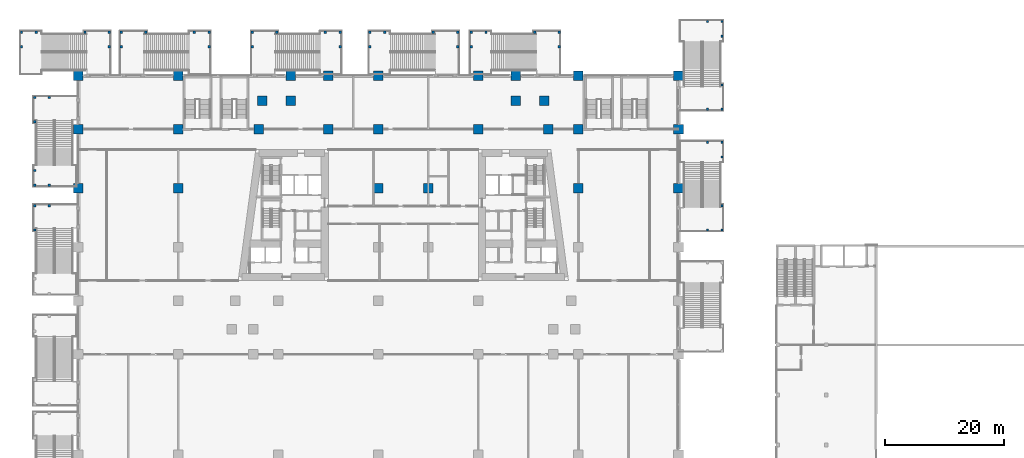
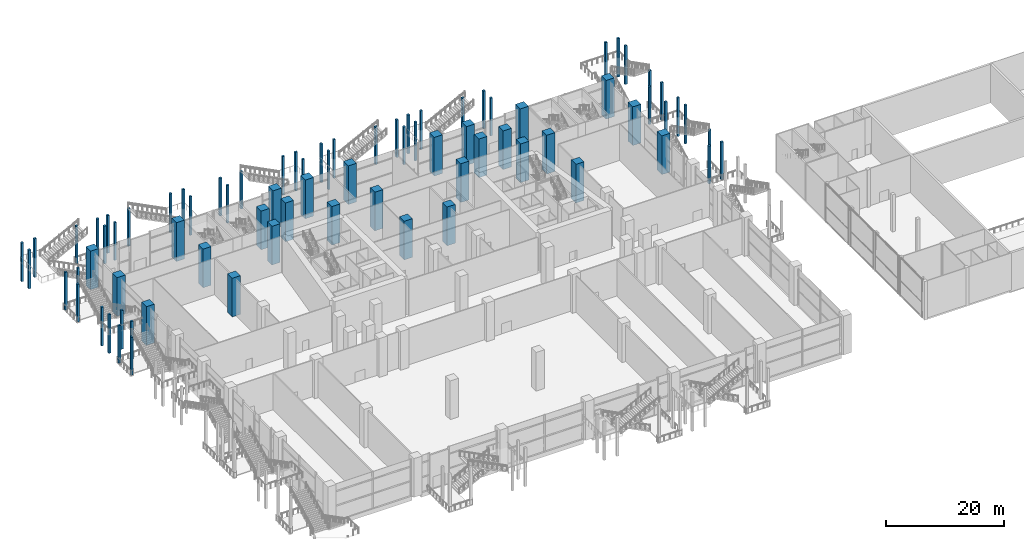
# One storey, part 2 of 52: 79 columns.
"""IFC4 building model written with IfcOpenShell, lengths in metres."""

from ifc_helpers import new_model, si_unit, direction, frame, origin, origin_2d, place, context, subcontext, project, spatial, rectangle, extrude, material, material_profile, profile_set, type_object, element, save


model = new_model("IFC4")

# Units and contexts
model_context = context("Model", 3, precision=1e-05, world=origin(), true_north=direction((0.0, 1.0)))
body_context = subcontext(model_context, "Body", "Model", "MODEL_VIEW")
ifc_project = project(units=[si_unit("LENGTHUNIT", "METRE"), si_unit("AREAUNIT", "SQUARE_METRE"), si_unit("VOLUMEUNIT", "CUBIC_METRE"), si_unit("PLANEANGLEUNIT", "RADIAN"), si_unit("MASSUNIT", "GRAM", prefix="KILO")], contexts=[model_context])

# Site, building, storey
site_placement = place(None, origin())
site = spatial("IfcSite", under=ifc_project, at=site_placement, CompositionType="ELEMENT")
building_placement = place(site_placement, origin())
building = spatial("IfcBuilding", under=site, at=building_placement, Name="Candeia Pilgrim Tower and Theatre", CompositionType="ELEMENT")
storey_placement = place(building_placement, frame((0.0, 0.0, 9.0)))
storey = spatial("IfcBuildingStorey", under=building, at=storey_placement, Name="L01", CompositionType="ELEMENT", Elevation=9.0)

# Columns
ifc_material_1 = material(Name="Concrete C40/50", Category="concrete")
ifc_material_profile_1 = material_profile(ifc_material_1, rectangle(XDim=0.39990234375, YDim=0.39990234375, at=origin_2d()))
ifc_profile_set_1 = profile_set([ifc_material_profile_1], Name="Concrete C40/50")
column_type_1 = type_object("IfcColumnType", Name="Escape stair column RC 400x400", PredefinedType="COLUMN", material=ifc_profile_set_1)
for number, where, z_axis, x_axis, name in (
    (1, (166.89990234375, 139.14990234375, 0.0), (0.0, 0.0, 1.0), (1.0, 0.0, 0.0), "External escape stair ES2 column N1.2"),
    (2, (166.89990234375, 143.25, 0.0), (0.0, 0.0, 1.0), (1.0, 0.0, 0.0), "External escape stair ES2 column N2.2"),
    (3, (164.47509765625, 139.14990234375, 0.0), (0.0, 0.0, 1.0), (1.0, 0.0, 0.0), "External escape stair ES2 column N3.2"),
):
    element("IfcColumn", number, at=place(storey_placement, frame(where, z_axis=z_axis, x_axis=x_axis)), inside=storey, type_object=column_type_1, Name=name, PredefinedType="COLUMN", context=body_context, shape_type="SweptSolid", body=[
        extrude(rectangle(XDim=0.39990234375, YDim=0.39990234375, at=origin_2d()), origin(), (0.0, 0.0, 1.0), 7.800048828125),
    ])
for number, where, z_axis, x_axis, name in (
    (4, (166.89990234375, 151.409912109375, 0.0), (0.0, 0.0, 1.0), (1.0, 0.0, 0.0), "External escape stair ES2 column F1.2"),
    (5, (166.89990234375, 153.909912109375, 0.0), (0.0, 0.0, 1.0), (1.0, 0.0, 0.0), "External escape stair ES2 column F2.2"),
    (6, (164.47509765625, 153.909912109375, 0.0), (0.0, 0.0, 1.0), (1.0, 0.0, 0.0), "External escape stair ES2 column F3.2"),
):
    element("IfcColumn", number, at=place(storey_placement, frame(where, z_axis=z_axis, x_axis=x_axis)), inside=storey, type_object=column_type_1, Name=name, PredefinedType="COLUMN", context=body_context, shape_type="SweptSolid", body=[
        extrude(rectangle(XDim=0.39990234375, YDim=0.39990234375, at=origin_2d()), origin(), (0.0, 0.0, 1.0), 8.0),
    ])
for number, where, z_axis, x_axis, name in (
    (7, (64.050048828125, 152.10009765625, 0.0), (0.0, 0.0, 1.0), (1.0, 0.0, 0.0), "External escape stair ES3 column N1.2"),
    (8, (59.949951171875, 152.10009765625, 0.0), (0.0, 0.0, 1.0), (1.0, 0.0, 0.0), "External escape stair ES3 column N2.2"),
    (9, (64.050048828125, 149.675048828125, 0.0), (0.0, 0.0, 1.0), (1.0, 0.0, 0.0), "External escape stair ES3 column N3.2"),
):
    element("IfcColumn", number, at=place(storey_placement, frame(where, z_axis=z_axis, x_axis=x_axis)), inside=storey, type_object=column_type_1, Name=name, PredefinedType="COLUMN", context=body_context, shape_type="SweptSolid", body=[
        extrude(rectangle(XDim=0.39990234375, YDim=0.39990234375, at=origin_2d()), origin(), (0.0, 0.0, 1.0), 7.800048828125),
    ])
for number, where, z_axis, x_axis, name in (
    (10, (51.7900390625, 152.10009765625, 0.0), (0.0, 0.0, 1.0), (1.0, 0.0, 0.0), "External escape stair ES3 column F1.2"),
    (11, (49.2900390625, 152.10009765625, 0.0), (0.0, 0.0, 1.0), (1.0, 0.0, 0.0), "External escape stair ES3 column F2.2"),
    (12, (49.2900390625, 149.675048828125, 0.0), (0.0, 0.0, 1.0), (1.0, 0.0, 0.0), "External escape stair ES3 column F3.2"),
):
    element("IfcColumn", number, at=place(storey_placement, frame(where, z_axis=z_axis, x_axis=x_axis)), inside=storey, type_object=column_type_1, Name=name, PredefinedType="COLUMN", context=body_context, shape_type="SweptSolid", body=[
        extrude(rectangle(XDim=0.39990234375, YDim=0.39990234375, at=origin_2d()), origin(), (0.0, 0.0, 1.0), 8.0),
    ])
for number, where, z_axis, x_axis, name in (
    (13, (66.050048828125, 152.10009765625, 0.0), (0.0, 0.0, 1.0), (1.0, 0.0, 0.0), "External escape stair ES4 column N1.2"),
    (14, (70.14990234375, 152.10009765625, 0.0), (0.0, 0.0, 1.0), (1.0, 0.0, 0.0), "External escape stair ES4 column N2.2"),
    (15, (66.050048828125, 149.675048828125, 0.0), (0.0, 0.0, 1.0), (1.0, 0.0, 0.0), "External escape stair ES4 column N3.2"),
):
    element("IfcColumn", number, at=place(storey_placement, frame(where, z_axis=z_axis, x_axis=x_axis)), inside=storey, type_object=column_type_1, Name=name, PredefinedType="COLUMN", context=body_context, shape_type="SweptSolid", body=[
        extrude(rectangle(XDim=0.39990234375, YDim=0.39990234375, at=origin_2d()), origin(), (0.0, 0.0, 1.0), 7.800048828125),
    ])
for number, where, z_axis, x_axis, name in (
    (16, (78.31005859375, 152.10009765625, 0.0), (0.0, 0.0, 1.0), (1.0, 0.0, 0.0), "External escape stair ES4 column F1.2"),
    (17, (80.81005859375, 152.10009765625, 0.0), (0.0, 0.0, 1.0), (1.0, 0.0, 0.0), "External escape stair ES4 column F2.2"),
    (18, (80.81005859375, 149.675048828125, 0.0), (0.0, 0.0, 1.0), (1.0, 0.0, 0.0), "External escape stair ES4 column F3.2"),
):
    element("IfcColumn", number, at=place(storey_placement, frame(where, z_axis=z_axis, x_axis=x_axis)), inside=storey, type_object=column_type_1, Name=name, PredefinedType="COLUMN", context=body_context, shape_type="SweptSolid", body=[
        extrude(rectangle(XDim=0.39990234375, YDim=0.39990234375, at=origin_2d()), origin(), (0.0, 0.0, 1.0), 8.0),
    ])
for number, where, z_axis, x_axis, name in (
    (19, (88.050048828125, 152.10009765625, 0.0), (0.0, 0.0, 1.0), (1.0, 0.0, 0.0), "External escape stair ES5 column N1.2"),
    (20, (92.14990234375, 152.10009765625, 0.0), (0.0, 0.0, 1.0), (1.0, 0.0, 0.0), "External escape stair ES5 column N2.2"),
    (21, (88.050048828125, 149.675048828125, 0.0), (0.0, 0.0, 1.0), (1.0, 0.0, 0.0), "External escape stair ES5 column N3.2"),
):
    element("IfcColumn", number, at=place(storey_placement, frame(where, z_axis=z_axis, x_axis=x_axis)), inside=storey, type_object=column_type_1, Name=name, PredefinedType="COLUMN", context=body_context, shape_type="SweptSolid", body=[
        extrude(rectangle(XDim=0.39990234375, YDim=0.39990234375, at=origin_2d()), origin(), (0.0, 0.0, 1.0), 7.800048828125),
    ])
for number, where, z_axis, x_axis, name in (
    (22, (100.31005859375, 152.10009765625, 0.0), (0.0, 0.0, 1.0), (1.0, 0.0, 0.0), "External escape stair ES5 column F1.2"),
    (23, (102.81005859375, 152.10009765625, 0.0), (0.0, 0.0, 1.0), (1.0, 0.0, 0.0), "External escape stair ES5 column F2.2"),
    (24, (102.81005859375, 149.675048828125, 0.0), (0.0, 0.0, 1.0), (1.0, 0.0, 0.0), "External escape stair ES5 column F3.2"),
):
    element("IfcColumn", number, at=place(storey_placement, frame(where, z_axis=z_axis, x_axis=x_axis)), inside=storey, type_object=column_type_1, Name=name, PredefinedType="COLUMN", context=body_context, shape_type="SweptSolid", body=[
        extrude(rectangle(XDim=0.39990234375, YDim=0.39990234375, at=origin_2d()), origin(), (0.0, 0.0, 1.0), 8.0),
    ])
for number, where, z_axis, x_axis, name in (
    (25, (122.550048828125, 152.10009765625, 0.0), (0.0, 0.0, 1.0), (1.0, 0.0, 0.0), "External escape stair ES6 column N1.2"),
    (26, (118.449951171875, 152.10009765625, 0.0), (0.0, 0.0, 1.0), (1.0, 0.0, 0.0), "External escape stair ES6 column N2.2"),
    (27, (122.550048828125, 149.675048828125, 0.0), (0.0, 0.0, 1.0), (1.0, 0.0, 0.0), "External escape stair ES6 column N3.2"),
):
    element("IfcColumn", number, at=place(storey_placement, frame(where, z_axis=z_axis, x_axis=x_axis)), inside=storey, type_object=column_type_1, Name=name, PredefinedType="COLUMN", context=body_context, shape_type="SweptSolid", body=[
        extrude(rectangle(XDim=0.39990234375, YDim=0.39990234375, at=origin_2d()), origin(), (0.0, 0.0, 1.0), 7.800048828125),
    ])
for number, where, z_axis, x_axis, name in (
    (28, (110.2900390625, 152.10009765625, 0.0), (0.0, 0.0, 1.0), (1.0, 0.0, 0.0), "External escape stair ES6 column F1.2"),
    (29, (107.7900390625, 152.10009765625, 0.0), (0.0, 0.0, 1.0), (1.0, 0.0, 0.0), "External escape stair ES6 column F2.2"),
    (30, (107.7900390625, 149.675048828125, 0.0), (0.0, 0.0, 1.0), (1.0, 0.0, 0.0), "External escape stair ES6 column F3.2"),
):
    element("IfcColumn", number, at=place(storey_placement, frame(where, z_axis=z_axis, x_axis=x_axis)), inside=storey, type_object=column_type_1, Name=name, PredefinedType="COLUMN", context=body_context, shape_type="SweptSolid", body=[
        extrude(rectangle(XDim=0.39990234375, YDim=0.39990234375, at=origin_2d()), origin(), (0.0, 0.0, 1.0), 8.0),
    ])
for number, where, z_axis, x_axis, name in (
    (31, (139.550048828125, 152.10009765625, 0.0), (0.0, 0.0, 1.0), (1.0, 0.0, 0.0), "External escape stair ES7 column N1.2"),
    (32, (135.449951171875, 152.10009765625, 0.0), (0.0, 0.0, 1.0), (1.0, 0.0, 0.0), "External escape stair ES7 column N2.2"),
    (33, (139.550048828125, 149.675048828125, 0.0), (0.0, 0.0, 1.0), (1.0, 0.0, 0.0), "External escape stair ES7 column N3.2"),
):
    element("IfcColumn", number, at=place(storey_placement, frame(where, z_axis=z_axis, x_axis=x_axis)), inside=storey, type_object=column_type_1, Name=name, PredefinedType="COLUMN", context=body_context, shape_type="SweptSolid", body=[
        extrude(rectangle(XDim=0.39990234375, YDim=0.39990234375, at=origin_2d()), origin(), (0.0, 0.0, 1.0), 7.800048828125),
    ])
for number, where, z_axis, x_axis, name in (
    (34, (127.2900390625, 152.10009765625, 0.0), (0.0, 0.0, 1.0), (1.0, 0.0, 0.0), "External escape stair ES7 column F1.2"),
    (35, (124.7900390625, 152.10009765625, 0.0), (0.0, 0.0, 1.0), (1.0, 0.0, 0.0), "External escape stair ES7 column F2.2"),
    (36, (124.7900390625, 149.675048828125, 0.0), (0.0, 0.0, 1.0), (1.0, 0.0, 0.0), "External escape stair ES7 column F3.2"),
):
    element("IfcColumn", number, at=place(storey_placement, frame(where, z_axis=z_axis, x_axis=x_axis)), inside=storey, type_object=column_type_1, Name=name, PredefinedType="COLUMN", context=body_context, shape_type="SweptSolid", body=[
        extrude(rectangle(XDim=0.39990234375, YDim=0.39990234375, at=origin_2d()), origin(), (0.0, 0.0, 1.0), 8.0),
    ])
for number, where, z_axis, x_axis, name in (
    (37, (51.5, 141.14990234375, 0.0), (0.0, 0.0, 1.0), (1.0, 0.0, 0.0), "External escape stair ES13 column N1.2"),
    (38, (51.5, 137.050048828125, 0.0), (0.0, 0.0, 1.0), (1.0, 0.0, 0.0), "External escape stair ES13 column N2.2"),
    (39, (53.925048828125, 141.14990234375, 0.0), (0.0, 0.0, 1.0), (1.0, 0.0, 0.0), "External escape stair ES13 column N3.2"),
):
    element("IfcColumn", number, at=place(storey_placement, frame(where, z_axis=z_axis, x_axis=x_axis)), inside=storey, type_object=column_type_1, Name=name, PredefinedType="COLUMN", context=body_context, shape_type="SweptSolid", body=[
        extrude(rectangle(XDim=0.39990234375, YDim=0.39990234375, at=origin_2d()), origin(), (0.0, 0.0, 1.0), 7.800048828125),
    ])
for number, where, z_axis, x_axis, name in (
    (40, (51.5, 128.889892578125, 0.0), (0.0, 0.0, 1.0), (1.0, 0.0, 0.0), "External escape stair ES13 column F1.2"),
    (41, (51.5, 126.389892578125, 0.0), (0.0, 0.0, 1.0), (1.0, 0.0, 0.0), "External escape stair ES13 column F2.2"),
    (42, (53.925048828125, 126.389892578125, 0.0), (0.0, 0.0, 1.0), (1.0, 0.0, 0.0), "External escape stair ES13 column F3.2"),
):
    element("IfcColumn", number, at=place(storey_placement, frame(where, z_axis=z_axis, x_axis=x_axis)), inside=storey, type_object=column_type_1, Name=name, PredefinedType="COLUMN", context=body_context, shape_type="SweptSolid", body=[
        extrude(rectangle(XDim=0.39990234375, YDim=0.39990234375, at=origin_2d()), origin(), (0.0, 0.0, 1.0), 8.0),
    ])
for number, where, z_axis, x_axis, name in (
    (43, (166.89990234375, 118.89990234375, 0.0), (0.0, 0.0, 1.0), (1.0, 0.0, 0.0), "External escape stair ES14 column N1.2"),
    (44, (166.89990234375, 123.0, 0.0), (0.0, 0.0, 1.0), (1.0, 0.0, 0.0), "External escape stair ES14 column N2.2"),
    (45, (164.47509765625, 118.89990234375, 0.0), (0.0, 0.0, 1.0), (1.0, 0.0, 0.0), "External escape stair ES14 column N3.2"),
):
    element("IfcColumn", number, at=place(storey_placement, frame(where, z_axis=z_axis, x_axis=x_axis)), inside=storey, type_object=column_type_1, Name=name, PredefinedType="COLUMN", context=body_context, shape_type="SweptSolid", body=[
        extrude(rectangle(XDim=0.39990234375, YDim=0.39990234375, at=origin_2d()), origin(), (0.0, 0.0, 1.0), 7.800048828125),
    ])
for number, where, z_axis, x_axis, name in (
    (46, (166.89990234375, 131.159912109375, 0.0), (0.0, 0.0, 1.0), (1.0, 0.0, 0.0), "External escape stair ES14 column F1.2"),
    (47, (166.89990234375, 133.659912109375, 0.0), (0.0, 0.0, 1.0), (1.0, 0.0, 0.0), "External escape stair ES14 column F2.2"),
    (48, (164.47509765625, 133.659912109375, 0.0), (0.0, 0.0, 1.0), (1.0, 0.0, 0.0), "External escape stair ES14 column F3.2"),
):
    element("IfcColumn", number, at=place(storey_placement, frame(where, z_axis=z_axis, x_axis=x_axis)), inside=storey, type_object=column_type_1, Name=name, PredefinedType="COLUMN", context=body_context, shape_type="SweptSolid", body=[
        extrude(rectangle(XDim=0.39990234375, YDim=0.39990234375, at=origin_2d()), origin(), (0.0, 0.0, 1.0), 8.0),
    ])
for number, where, z_axis, x_axis, name in (
    (49, (51.5, 123.0, 0.0), (0.0, 0.0, 1.0), (1.0, 0.0, 0.0), "External escape stair ES15 column N1.2"),
    (50, (51.5, 118.89990234375, 0.0), (0.0, 0.0, 1.0), (1.0, 0.0, 0.0), "External escape stair ES15 column N2.2"),
    (51, (53.925048828125, 123.0, 0.0), (0.0, 0.0, 1.0), (1.0, 0.0, 0.0), "External escape stair ES15 column N3.2"),
):
    element("IfcColumn", number, at=place(storey_placement, frame(where, z_axis=z_axis, x_axis=x_axis)), inside=storey, type_object=column_type_1, Name=name, PredefinedType="COLUMN", context=body_context, shape_type="SweptSolid", body=[
        extrude(rectangle(XDim=0.39990234375, YDim=0.39990234375, at=origin_2d()), origin(), (0.0, 0.0, 1.0), 7.800048828125),
    ])
ifc_material_2 = material(Name="Concrete C80/95", Category="concrete")
ifc_material_profile_2 = material_profile(ifc_material_2, rectangle(XDim=1.60009765625, YDim=1.60009765625, at=origin_2d()))
ifc_profile_set_2 = profile_set([ifc_material_profile_2], Name="Concrete C80/95")
column_type_2 = type_object("IfcColumnType", Name="RC 1600x1600 C80/95", PredefinedType="COLUMN", material=ifc_profile_set_2)
for number, where, z_axis, x_axis, name in (
    (52, (58.800048828125, 125.89990234375, 0.0), (0.0, 0.0, 1.0), (1.0, 0.0, 0.0), "Column P-0252+0279"),
    (53, (75.60009765625, 125.89990234375, 0.0), (0.0, 0.0, 1.0), (1.0, 0.0, 0.0), "Column P-0084+0279"),
    (54, (109.199951171875, 125.89990234375, 0.0), (0.0, 0.0, 1.0), (1.0, 0.0, 0.0), "Column P+0252+0279"),
    (55, (117.60009765625, 125.89990234375, 0.0), (0.0, 0.0, 1.0), (1.0, 0.0, 0.0), "Column P+0336+0279"),
    (56, (142.800048828125, 125.89990234375, 0.0), (0.0, 0.0, 1.0), (1.0, 0.0, 0.0), "Column P+0588+0279"),
    (57, (159.60009765625, 125.89990234375, 0.0), (0.0, 0.0, 1.0), (1.0, 0.0, 0.0), "Column P+0756+0279"),
    (58, (58.800048828125, 135.800048828125, 0.0), (0.0, 0.0, 1.0), (1.0, 0.0, 0.0), "Column P-0252+0378"),
    (59, (75.60009765625, 135.800048828125, 0.0), (0.0, 0.0, 1.0), (1.0, 0.0, 0.0), "Column P-0084+0378"),
    (60, (89.08837890625, 135.800048828125, 0.0), (0.0, 0.0, 1.0), (1.0, 0.0, 0.0), "Column P+0051+0378"),
    (61, (100.800048828125, 135.800048828125, 0.0), (0.0, 0.0, 1.0), (1.0, 0.0, 0.0), "Column P+0168+0378"),
    (62, (109.199951171875, 135.800048828125, 0.0), (0.0, 0.0, 1.0), (1.0, 0.0, 0.0), "Column P+0252+0378"),
    (63, (126.0, 135.800048828125, 0.0), (0.0, 0.0, 1.0), (1.0, 0.0, 0.0), "Column P+0420+0378"),
    (64, (137.71142578125, 135.800048828125, 0.0), (0.0, 0.0, 1.0), (1.0, 0.0, 0.0), "Column P+0537+0378"),
    (65, (142.800048828125, 135.800048828125, 0.0), (0.0, 0.0, 1.0), (1.0, 0.0, 0.0), "Column P+0588+0378"),
    (66, (159.60009765625, 135.800048828125, 0.0), (0.0, 0.0, 1.0), (1.0, 0.0, 0.0), "Column P+0756+0378"),
    (67, (89.734619140625, 140.60009765625, 0.0), (0.0, 0.0, 1.0), (1.0, 0.0, 0.0), "Column P+0057+0426"),
    (68, (94.5, 140.60009765625, 0.0), (0.0, 0.0, 1.0), (1.0, 0.0, 0.0), "Column P+0105+0426"),
    (69, (132.300048828125, 140.60009765625, 0.0), (0.0, 0.0, 1.0), (1.0, 0.0, 0.0), "Column P+0483+0426"),
    (70, (137.0654296875, 140.60009765625, 0.0), (0.0, 0.0, 1.0), (1.0, 0.0, 0.0), "Column P+0531+0426"),
    (71, (58.800048828125, 144.800048828125, 0.0), (0.0, 0.0, 1.0), (1.0, 0.0, 0.0), "Column P-0252+0468"),
    (72, (75.60009765625, 144.800048828125, 0.0), (0.0, 0.0, 1.0), (1.0, 0.0, 0.0), "Column P-0084+0468"),
    (73, (94.5, 144.800048828125, 0.0), (0.0, 0.0, 1.0), (1.0, 0.0, 0.0), "Column P+0105+0468"),
    (74, (100.800048828125, 144.800048828125, 0.0), (0.0, 0.0, 1.0), (1.0, 0.0, 0.0), "Column P+0168+0468"),
    (75, (109.199951171875, 144.800048828125, 0.0), (0.0, 0.0, 1.0), (1.0, 0.0, 0.0), "Column P+0252+0468"),
    (76, (126.0, 144.800048828125, 0.0), (0.0, 0.0, 1.0), (1.0, 0.0, 0.0), "Column P+0420+0468"),
    (77, (132.300048828125, 144.800048828125, 0.0), (0.0, 0.0, 1.0), (1.0, 0.0, 0.0), "Column P+0483+0468"),
    (78, (142.800048828125, 144.800048828125, 0.0), (0.0, 0.0, 1.0), (1.0, 0.0, 0.0), "Column P+0588+0468"),
    (79, (159.60009765625, 144.800048828125, 0.0), (0.0, 0.0, 1.0), (1.0, 0.0, 0.0), "Column P+0756+0468"),
):
    element("IfcColumn", number, at=place(storey_placement, frame(where, z_axis=z_axis, x_axis=x_axis)), inside=storey, type_object=column_type_2, Name=name, PredefinedType="COLUMN", context=body_context, shape_type="SweptSolid", body=[
        extrude(rectangle(XDim=1.60009765625, YDim=1.60009765625, at=origin_2d()), origin(), (0.0, 0.0, 1.0), 8.0),
    ])

save(model, "model.ifc")
